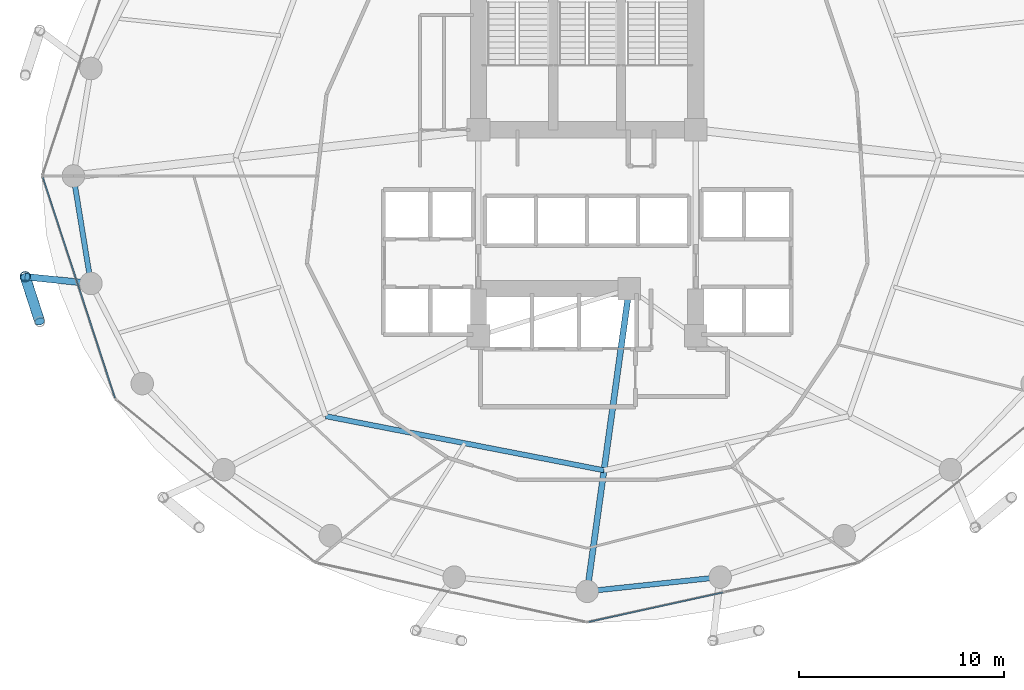
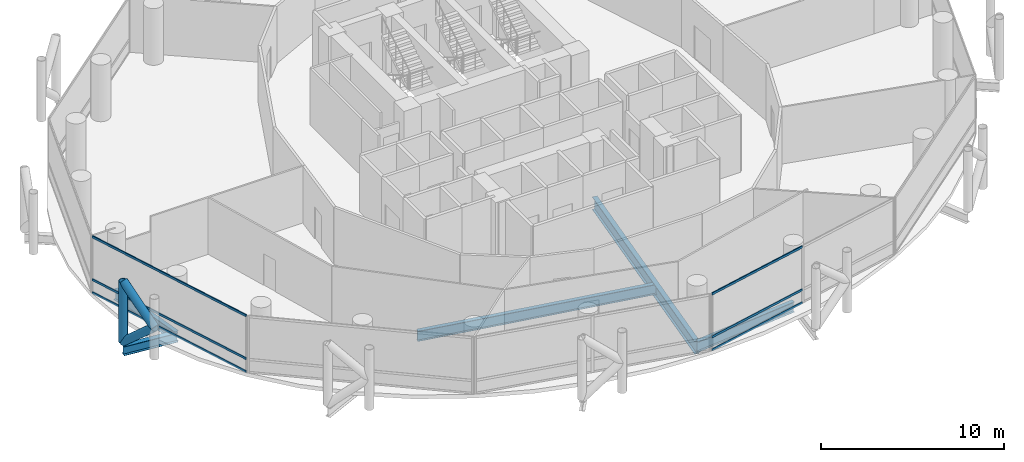
# One storey, part 5 of 24: 9 members, 5 beams, 2 elements without a shape of their own.
"""IFC4 building model written with IfcOpenShell, lengths in metres."""

from ifc_helpers import new_model, si_unit, direction, frame, origin, origin_2d, place, context, subcontext, project, spatial, hollow_rectangle, hollow_circle, i_section, extrude, material, layer, layer_set, material_profile, profile_set, type_object, element, aggregate, save


model = new_model("IFC4")

# Units and contexts
model_context = context("Model", 3, precision=1e-05, world=origin(), true_north=direction((0.0, 1.0)))
body_context = subcontext(model_context, "Body", "Model", "MODEL_VIEW")
ifc_project = project(units=[si_unit("LENGTHUNIT", "METRE"), si_unit("AREAUNIT", "SQUARE_METRE"), si_unit("VOLUMEUNIT", "CUBIC_METRE"), si_unit("PLANEANGLEUNIT", "RADIAN"), si_unit("MASSUNIT", "GRAM", prefix="KILO")], contexts=[model_context])

# Site, building, storey
site_placement = place(None, origin())
site = spatial("IfcSite", under=ifc_project, at=site_placement, CompositionType="ELEMENT")
building_placement = place(site_placement, origin())
building = spatial("IfcBuilding", under=site, at=building_placement, Name="Nuhasar Tower", CompositionType="ELEMENT")
storey_placement = place(building_placement, frame((0.0, 0.0, 41.25)))
storey = spatial("IfcBuildingStorey", under=building, at=storey_placement, Name="L09", CompositionType="ELEMENT", Elevation=41.25)

# Beams
ifc_material_1 = material(Name="Steel S355", Category="steel")
ifc_material_profile_1 = material_profile(ifc_material_1, i_section(OverallWidth=0.25390625, OverallDepth=0.68408203125, WebThickness=0.012451171875, FlangeThickness=0.018798828125, at=origin_2d()), Name="W27X94")
ifc_profile_set_1 = profile_set([ifc_material_profile_1], Name="Steel S355")
beam_type_1 = type_object("IfcBeamType", Name="BM-INRING-W27X94", PredefinedType="BEAM", material=ifc_profile_set_1)
beam_1_placement = place(storey_placement, frame((26.251953125, 15.089111328125, -0.60205078125), z_axis=(0.981602977761, -0.190933480695, 0.0), x_axis=(0.190933480695, 0.981602977761, 0.0)))
element("IfcBeam", 1, at=beam_1_placement, inside=storey, type_object=beam_type_1, Name="L09 Inner Header Beam 01", PredefinedType="BEAM", context=body_context, shape_type="SweptSolid", body=[
    extrude(i_section(OverallWidth=0.25390625, OverallDepth=0.68408203125, WebThickness=0.012451171875, FlangeThickness=0.018798828125, at=origin_2d()), origin(), (0.0, 0.0, 1.0), 13.822509765625),
])
ifc_material_profile_2 = material_profile(ifc_material_1, i_section(OverallWidth=0.2919921875, OverallDepth=0.85888671875, WebThickness=0.01708984375, FlangeThickness=0.031005859375, at=origin_2d()), Name="W33X169")
ifc_profile_set_2 = profile_set([ifc_material_profile_2], Name="Steel S355")
beam_type_2 = type_object("IfcBeamType", Name="BM-POD-W33X169", PredefinedType="BEAM", material=ifc_profile_set_2)
beam_2_placement = place(storey_placement, frame((41.050048828125, 21.300048828125, -0.68896484375), z_axis=(-0.137663087856, -0.990479113481, 0.0), x_axis=(0.990479113481, -0.137663087856, 0.0)))
element("IfcBeam", 2, at=beam_2_placement, inside=storey, type_object=beam_type_2, Name="L09 Radial Floor Girder 02", PredefinedType="BEAM", context=body_context, shape_type="SweptSolid", body=[
    extrude(i_section(OverallWidth=0.2919921875, OverallDepth=0.85888671875, WebThickness=0.01708984375, FlangeThickness=0.031005859375, at=origin_2d()), origin(), (0.0, 0.0, 1.0), 14.891845703125),
])
ifc_material_profile_3 = material_profile(ifc_material_1, i_section(OverallWidth=0.256103515625, OverallDepth=0.693115234375, WebThickness=0.014404296875, FlangeThickness=0.023681640625, at=origin_2d()), Name="W27X114")
ifc_profile_set_3 = profile_set([ifc_material_profile_3], Name="Steel S355")
beam_type_3 = type_object("IfcBeamType", Name="BM-RING-W27X114", PredefinedType="SPANDREL", material=ifc_profile_set_3)
beam_3_placement = place(storey_placement, frame((13.949951171875, 26.800048828125, -0.60595703125), z_axis=(0.160826635486, -0.986982671235, 0.0), x_axis=(0.986982671235, 0.160826635486, 0.0)))
element("IfcBeam", 3, at=beam_3_placement, inside=storey, type_object=beam_type_3, Name="L09 Perimeter Ring Spandrel 13", PredefinedType="SPANDREL", context=body_context, shape_type="SweptSolid", body=[
    extrude(i_section(OverallWidth=0.256103515625, OverallDepth=0.693115234375, WebThickness=0.014404296875, FlangeThickness=0.023681640625, at=origin_2d()), origin(), (0.0, 0.0, 1.0), 5.31005859375),
])
beam_4_placement = place(storey_placement, frame((39.0, 6.550048828125, -0.60595703125), z_axis=(0.994384554061, 0.105827022286, 0.0), x_axis=(-0.105827022286, 0.994384554061, 0.0)))
element("IfcBeam", 4, at=beam_4_placement, inside=storey, type_object=beam_type_3, Name="L09 Perimeter Ring Spandrel 19", PredefinedType="SPANDREL", context=body_context, shape_type="SweptSolid", body=[
    extrude(i_section(OverallWidth=0.256103515625, OverallDepth=0.693115234375, WebThickness=0.014404296875, FlangeThickness=0.023681640625, at=origin_2d()), origin(), (0.0, 0.0, 1.0), 6.51953125),
])
ifc_material_profile_4 = material_profile(ifc_material_1, i_section(OverallWidth=0.323974609375, OverallDepth=0.611083984375, WebThickness=0.0126953125, FlangeThickness=0.01904296875, at=origin_2d()), Name="W24X104")
ifc_profile_set_4 = profile_set([ifc_material_profile_4], Name="Steel S355")
beam_type_4 = type_object("IfcBeamType", Name="BM-TIE-W24X104", PredefinedType="BEAM", material=ifc_profile_set_4)
beam_5_placement = place(storey_placement, frame((14.803955078125, 21.55908203125, -0.56591796875), z_axis=(-0.994711572359, 0.102707778751, 0.0), x_axis=(-0.102707778751, -0.994711572359, 0.0)))
element("IfcBeam", 5, at=beam_5_placement, inside=storey, type_object=beam_type_4, Name="L09 Exoskeleton Node Tie Beam 07", PredefinedType="BEAM", context=body_context, shape_type="SweptSolid", body=[
    extrude(i_section(OverallWidth=0.323974609375, OverallDepth=0.611083984375, WebThickness=0.0126953125, FlangeThickness=0.01904296875, at=origin_2d()), origin(), (0.0, 0.0, 1.0), 3.220947265625),
])

# Curtain wall, members
ifc_material_2 = material(Name="Aluminium 6063-T6", Category="aluminium")
ifc_layer = layer(ifc_material_2, 0.199951171875)
ifc_layer_set = layer_set([ifc_layer], Name="Aluminium 6063-T6")
curtain_wall_type = type_object("IfcCurtainWallType", Name="CW-Z1-OFF", PredefinedType="NOTDEFINED", material=ifc_layer_set)
curtain_wall_1_placement = place(storey_placement, origin())
curtain_wall_1 = element("IfcCurtainWall", 6, at=curtain_wall_1_placement, inside=storey, type_object=curtain_wall_type, Name="L09 Unitised Curtain Wall 07", PredefinedType="NOTDEFINED")
ifc_material_profile_5 = material_profile(ifc_material_2, hollow_rectangle(XDim=0.06494140625, YDim=0.14990234375, WallThickness=0.00439453125, at=origin_2d()), Name="CWT-2")
ifc_profile_set_5 = profile_set([ifc_material_profile_5], Name="Aluminium 6063-T6")
member_type_1 = type_object("IfcMemberType", Name="CW-TRN-S2", PredefinedType="USERDEFINED", material=ifc_profile_set_5)
member_1_placement = place(storey_placement, frame((12.460205078125, 26.73828125, 0.032470703125), z_axis=(0.310818687697, -0.950469222741, 0.0), x_axis=(0.950469222741, 0.310818687697, 0.0)))
member_1 = element("IfcMember", 7, at=member_1_placement, type_object=member_type_1, Name="CW-Z1 transom 1.1", ObjectType="TRANSOM", PredefinedType="USERDEFINED", context=body_context, shape_type="SweptSolid", body=[
    extrude(hollow_rectangle(XDim=0.06494140625, YDim=0.14990234375, WallThickness=0.00439453125, at=origin_2d()), origin(), (0.0, 0.0, 1.0), 11.317138671875),
])
member_2_placement = place(storey_placement, frame((12.460205078125, 26.73828125, 0.89990234375), z_axis=(0.310818687697, -0.950469222741, 0.0), x_axis=(0.950469222741, 0.310818687697, 0.0)))
member_2 = element("IfcMember", 8, at=member_2_placement, type_object=member_type_1, Name="CW-Z1 transom 1.2", ObjectType="TRANSOM", PredefinedType="USERDEFINED", context=body_context, shape_type="SweptSolid", body=[
    extrude(hollow_rectangle(XDim=0.06494140625, YDim=0.14990234375, WallThickness=0.00439453125, at=origin_2d()), origin(), (0.0, 0.0, 1.0), 11.317138671875),
])
member_3_placement = place(storey_placement, frame((12.460205078125, 26.73828125, 3.757568359375), z_axis=(0.310818687697, -0.950469222741, 0.0), x_axis=(0.950469222741, 0.310818687697, 0.0)))
member_3 = element("IfcMember", 9, at=member_3_placement, type_object=member_type_1, Name="CW-Z1 transom 1.3", ObjectType="TRANSOM", PredefinedType="USERDEFINED", context=body_context, shape_type="SweptSolid", body=[
    extrude(hollow_rectangle(XDim=0.06494140625, YDim=0.14990234375, WallThickness=0.00439453125, at=origin_2d()), origin(), (0.0, 0.0, 1.0), 11.317138671875),
])
aggregate(curtain_wall_1, [member_1, member_2, member_3])

curtain_wall_2_placement = place(storey_placement, origin())
curtain_wall_2 = element("IfcCurtainWall", 10, at=curtain_wall_2_placement, inside=storey, type_object=curtain_wall_type, Name="L09 Unitised Curtain Wall 10", PredefinedType="NOTDEFINED")
member_4_placement = place(storey_placement, frame((39.0634765625, 5.053955078125, 0.032470703125), z_axis=(0.976747879138, 0.214391185916, 0.0), x_axis=(-0.214391185916, 0.976747879138, 0.0)))
member_4 = element("IfcMember", 11, at=member_4_placement, type_object=member_type_1, Name="CW-Z1 transom 1.1", ObjectType="TRANSOM", PredefinedType="USERDEFINED", context=body_context, shape_type="SweptSolid", body=[
    extrude(hollow_rectangle(XDim=0.06494140625, YDim=0.14990234375, WallThickness=0.00439453125, at=origin_2d()), origin(), (0.0, 0.0, 1.0), 6.700439453125),
])
member_5_placement = place(storey_placement, frame((39.0634765625, 5.053955078125, 0.89990234375), z_axis=(0.976747879138, 0.214391185916, 0.0), x_axis=(-0.214391185916, 0.976747879138, 0.0)))
member_5 = element("IfcMember", 12, at=member_5_placement, type_object=member_type_1, Name="CW-Z1 transom 1.2", ObjectType="TRANSOM", PredefinedType="USERDEFINED", context=body_context, shape_type="SweptSolid", body=[
    extrude(hollow_rectangle(XDim=0.06494140625, YDim=0.14990234375, WallThickness=0.00439453125, at=origin_2d()), origin(), (0.0, 0.0, 1.0), 6.700439453125),
])
member_6_placement = place(storey_placement, frame((39.0634765625, 5.053955078125, 3.757568359375), z_axis=(0.976747879138, 0.214391185916, 0.0), x_axis=(-0.214391185916, 0.976747879138, 0.0)))
member_6 = element("IfcMember", 13, at=member_6_placement, type_object=member_type_1, Name="CW-Z1 transom 1.3", ObjectType="TRANSOM", PredefinedType="USERDEFINED", context=body_context, shape_type="SweptSolid", body=[
    extrude(hollow_rectangle(XDim=0.06494140625, YDim=0.14990234375, WallThickness=0.00439453125, at=origin_2d()), origin(), (0.0, 0.0, 1.0), 6.700439453125),
])
aggregate(curtain_wall_2, [member_4, member_5, member_6])

# Members
ifc_material_3 = material(Name="Steel S460", Category="steel")
ifc_material_profile_6 = material_profile(ifc_material_3, hollow_circle(Radius=0.25390625, WallThickness=0.025390625, at=origin_2d()), Name="HSS508X25.4")
ifc_profile_set_6 = profile_set([ifc_material_profile_6], Name="Steel S460")
member_type_2 = type_object("IfcMemberType", Name="EXO-BRONZE-508", PredefinedType="BRACE", material=ifc_profile_set_6)
member_7_placement = place(storey_placement, frame((11.60009765625, 21.889892578125, 0.0), z_axis=(0.0, 0.0, 1.0), x_axis=(1.0, 0.0, 0.0)))
element("IfcMember", 14, at=member_7_placement, inside=storey, type_object=member_type_2, Name="L09 Exoskeleton Chord Column EC-07A", PredefinedType="BRACE", context=body_context, shape_type="SweptSolid", body=[
    extrude(hollow_circle(Radius=0.25390625, WallThickness=0.025390625, at=origin_2d()), origin(), (0.0, 0.0, 1.0), 4.050048828125),
])
member_8_placement = place(storey_placement, frame((11.60009765625, 21.889892578125, 0.0), z_axis=(0.231011836313, -0.714224870475, 0.660693851854), x_axis=(0.951468282519, 0.307746823478, 0.0)))
element("IfcMember", 15, at=member_8_placement, inside=storey, type_object=member_type_2, Name="L09 Bronze Diagrid Brace W1-07", PredefinedType="BRACE", context=body_context, shape_type="SweptSolid", body=[
    extrude(hollow_circle(Radius=0.25390625, WallThickness=0.025390625, at=origin_2d()), origin(), (0.0, 0.0, 1.0), 3.064697265625),
])
member_9_placement = place(storey_placement, frame((12.30810546875, 19.700927734375, 2.02490234375), z_axis=(-0.230999678299, 0.714187281251, 0.660738734997), x_axis=(-0.951468282519, -0.307746823478, 0.0)))
element("IfcMember", 16, at=member_9_placement, inside=storey, type_object=member_type_2, Name="L09 Bronze Diagrid Brace W2-07", PredefinedType="BRACE", context=body_context, shape_type="SweptSolid", body=[
    extrude(hollow_circle(Radius=0.25390625, WallThickness=0.025390625, at=origin_2d()), origin(), (0.0, 0.0, 1.0), 3.06494140625),
])

save(model, "model.ifc")
